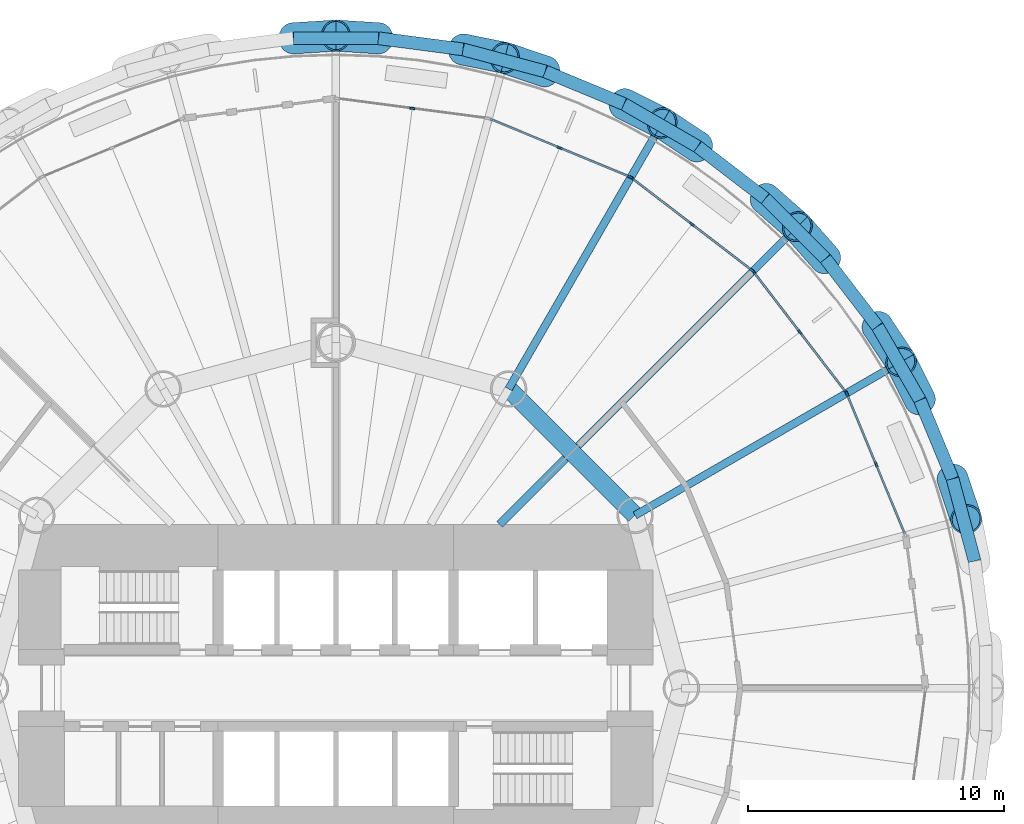
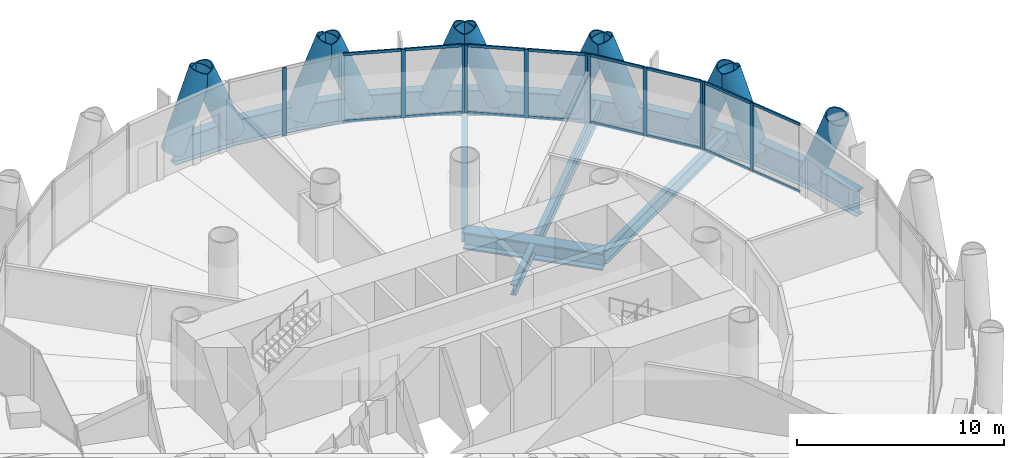
# One storey, part 7 of 15: 38 members, 16 beams, 5 elements without a shape of their own.
"""IFC4 building model written with IfcOpenShell, lengths in metres."""

import ifcopenshell
import ifcopenshell.guid

model = None  # the IFC model being written
_history = None  # IfcOwnerHistory: only IFC2X3 demands one
_inside = {}  # id of a spatial element -> (the spatial element, [elements in it])
_under = {}  # id of a project, library or spatial element -> (it, [spatial elements below it])
_declared = {}  # id of a project -> (the project, [libraries it declares])
_typed = {}  # id of a type object -> (the type object, [elements of that type])
_made_of = {}  # id of a material, layer set ... -> (it, [elements and type objects made of it])


def new_model(schema):
    """Start an empty IFC model of exactly this schema.

    Asked for "IFC4X3", IfcOpenShell would pick the latest addendum, in which some entities
    have other attributes; the version numbers below select the first issue.
    IFC2X3 requires an IfcOwnerHistory on every rooted entity: one is made here for all.
    """
    global model, _history
    if schema == "IFC4X3":
        model = ifcopenshell.file(schema_version=(4, 3, 0, 0))
    else:
        model = ifcopenshell.file(schema=schema)
    _inside.clear()
    _under.clear()
    _declared.clear()
    _typed.clear()
    _made_of.clear()
    _history = None
    if model.schema == "IFC2X3":
        org = make("IfcOrganization", Name="unknown")
        user = make(
            "IfcPersonAndOrganization",
            ThePerson=make("IfcPerson", FamilyName="unknown"),
            TheOrganization=org,
        )
        app = make(
            "IfcApplication",
            ApplicationDeveloper=org,
            Version="unknown",
            ApplicationFullName="unknown",
            ApplicationIdentifier="unknown",
        )
        _history = make(
            "IfcOwnerHistory",
            OwningUser=user,
            OwningApplication=app,
            ChangeAction="ADDED",
            CreationDate=0,
        )
    return model


def make(cls, **values):
    """One entity of the class cls with the attributes given. An attribute that is None is left unset."""
    return model.create_entity(
        cls, **{name: value for name, value in values.items() if value is not None}
    )


def rooted(cls, **values):
    """An entity with a GlobalId (a new one), such as an element, a storey or a relation."""
    return make(cls, GlobalId=ifcopenshell.guid.new(), OwnerHistory=_history, **values)


def si_unit(unit_type, name, prefix=None):
    """IfcSIUnit, for example si_unit("LENGTHUNIT", "METRE", prefix="MILLI")."""
    return make("IfcSIUnit", UnitType=unit_type, Prefix=prefix, Name=name)


def assignment(units):
    """IfcUnitAssignment: the units of a project."""
    return None if units is None else make("IfcUnitAssignment", Units=units)


def point(xyz):
    """IfcCartesianPoint."""
    return None if xyz is None else make("IfcCartesianPoint", Coordinates=xyz)


def direction(xyz):
    """IfcDirection."""
    return None if xyz is None else make("IfcDirection", DirectionRatios=xyz)


def frame(location, z_axis=None, x_axis=None):
    """IfcAxis2Placement3D, a coordinate frame: its origin and axes. An axis left out is left unset."""
    return make(
        "IfcAxis2Placement3D",
        Location=point(location),
        Axis=direction(z_axis),
        RefDirection=direction(x_axis),
    )


def frame_2d(location, x_axis=None):
    """IfcAxis2Placement2D, a coordinate frame in the plane: its origin and x axis."""
    return make(
        "IfcAxis2Placement2D", Location=point(location), RefDirection=direction(x_axis)
    )


def origin():
    """The frame at (0, 0, 0) with its axes left unset."""
    return frame((0.0, 0.0, 0.0))


def origin_2d():
    """The frame at (0, 0) in the plane with its x axis left unset."""
    return frame_2d((0.0, 0.0))


def place(relative_to, where):
    """IfcLocalPlacement: puts the frame where relative to a parent placement (None: the world)."""
    return make(
        "IfcLocalPlacement", PlacementRelTo=relative_to, RelativePlacement=where
    )


def context(
    kind, dimensions, precision=None, world=None, true_north=None, identifier=None
):
    """IfcGeometricRepresentationContext, for example the 3D "Model" context."""
    return make(
        "IfcGeometricRepresentationContext",
        ContextIdentifier=identifier,
        ContextType=kind,
        CoordinateSpaceDimension=dimensions,
        Precision=precision,
        WorldCoordinateSystem=world,
        TrueNorth=true_north,
    )


def subcontext(parent, identifier, kind, view, scale=None):
    """IfcGeometricRepresentationSubContext, for example "Body" below "Model"."""
    return make(
        "IfcGeometricRepresentationSubContext",
        ContextIdentifier=identifier,
        ContextType=kind,
        ParentContext=parent,
        TargetScale=scale,
        TargetView=view,
    )


def project(units=None, contexts=None):
    """IfcProject with its units and contexts."""
    return rooted(
        "IfcProject",
        Name="project",
        RepresentationContexts=contexts,
        UnitsInContext=assignment(units),
    )


def spatial(cls, under=None, at=None, **own):
    """A site, building, storey or space (cls), placed at a placement, below another one or the project."""
    s = rooted(cls, ObjectPlacement=at, **own)
    if under is not None:
        _under.setdefault(under.id(), (under, []))[1].append(s)
    return s


def profile(cls, at=None, kind="AREA", **sizes):
    """A parametric profile (cls). Its sizes go by their IFC names, for example OverallWidth=200.0."""
    return make(cls, ProfileType=kind, Position=at, **sizes)


def rectangle(**sizes):
    """IfcRectangleProfileDef."""
    return profile("IfcRectangleProfileDef", **sizes)


def hollow_circle(**sizes):
    """IfcCircleHollowProfileDef."""
    return profile("IfcCircleHollowProfileDef", **sizes)


def i_section(**sizes):
    """IfcIShapeProfileDef."""
    return profile("IfcIShapeProfileDef", **sizes)


def extrude(swept, where, along, depth):
    """IfcExtrudedAreaSolid: the profile swept, set in the frame where, extruded along a direction by depth."""
    return make(
        "IfcExtrudedAreaSolid",
        SweptArea=swept,
        Position=where,
        ExtrudedDirection=direction(along),
        Depth=depth,
    )


def shape(context_of_items, identifier, shape_type, items):
    """IfcShapeRepresentation: the items that make up one representation, for example the "Body"."""
    return make(
        "IfcShapeRepresentation",
        ContextOfItems=context_of_items,
        RepresentationIdentifier=identifier,
        RepresentationType=shape_type,
        Items=items,
    )


def material(Name=None, Category=None):
    """IfcMaterial."""
    return make("IfcMaterial", Name=Name, Category=Category)


def material_profile(
    of_material, cross_section, Name=None, Category=None, Priority=None
):
    """IfcMaterialProfile: a cross section and its material."""
    return make(
        "IfcMaterialProfile",
        Name=Name,
        Material=of_material,
        Profile=cross_section,
        Priority=Priority,
        Category=Category,
    )


def profile_set(profiles, Name=None, composite=None):
    """IfcMaterialProfileSet."""
    return make(
        "IfcMaterialProfileSet",
        Name=Name,
        MaterialProfiles=profiles,
        CompositeProfile=composite,
    )


def made_of(thing, what):
    """Note that an element or type object is made of a material, layer set ...; save() writes the relation."""
    if what is not None:
        _made_of.setdefault(what.id(), (what, []))[1].append(thing)
    return thing


def type_object(cls, material=None, **own):
    """A type object (cls), such as IfcWallType, which elements share."""
    return made_of(rooted(cls, **own), material)


def element(
    cls,
    number,
    at=None,
    inside=None,
    cuts=None,
    type_object=None,
    material=None,
    context=None,
    identifier="Body",
    shape_type=None,
    held_by="IfcProductDefinitionShape",
    body=None,
    shapes=None,
    **own,
):
    """One element of the class cls, such as IfcWall. Its Tag is "e" and its number.

    at: its placement. inside: the storey or other place that contains it. cuts: it is an
    opening in that element (IfcRelVoidsElement). A single representation is given by context,
    identifier, shape_type and body (its items); several are given by shapes. held_by: the class
    of the entity that holds the representations. save() writes the other relations.
    """
    e = rooted(cls, Tag="e%d" % number, ObjectPlacement=at, **own)
    if body is not None:
        shapes = [shape(context, identifier, shape_type, body)]
    if shapes is not None:
        e.Representation = make(held_by, Representations=shapes)
    if inside is not None:
        _inside.setdefault(inside.id(), (inside, []))[1].append(e)
    if cuts is not None:
        rooted(
            "IfcRelVoidsElement", RelatingBuildingElement=cuts, RelatedOpeningElement=e
        )
    if type_object is not None:
        _typed.setdefault(type_object.id(), (type_object, []))[1].append(e)
    return made_of(e, material)


def aggregate(whole, parts):
    """IfcRelAggregates: a whole, such as a stair, and the parts it consists of."""
    return rooted("IfcRelAggregates", RelatingObject=whole, RelatedObjects=parts)


def save(model, path):
    """Write the relations noted so far, then the file.

    IfcRelAggregates (storeys below a building ...), IfcRelContainedInSpatialStructure (elements
    in a storey), IfcRelDefinesByType, IfcRelAssociatesMaterial and IfcRelDeclares: one each for
    every whole, place, type object, material and project.
    """
    for whole, parts in _under.values():
        aggregate(whole, parts)
    for where, things in _inside.values():
        rooted(
            "IfcRelContainedInSpatialStructure",
            RelatedElements=things,
            RelatingStructure=where,
        )
    for kind, things in _typed.values():
        rooted("IfcRelDefinesByType", RelatedObjects=things, RelatingType=kind)
    for what, things in _made_of.values():
        rooted("IfcRelAssociatesMaterial", RelatedObjects=things, RelatingMaterial=what)
    for by, libraries in _declared.values():
        rooted("IfcRelDeclares", RelatingContext=by, RelatedDefinitions=libraries)
    model.write(path)


model = new_model("IFC4")

# Units and contexts
model_context = context("Model", 3, precision=1e-05, world=origin(), true_north=direction((0.0, 1.0)))
body_context = subcontext(model_context, "Body", "Model", "MODEL_VIEW")
ifc_project = project(units=[si_unit("LENGTHUNIT", "METRE"), si_unit("AREAUNIT", "SQUARE_METRE"), si_unit("VOLUMEUNIT", "CUBIC_METRE"), si_unit("PLANEANGLEUNIT", "RADIAN"), si_unit("MASSUNIT", "GRAM", prefix="KILO")], contexts=[model_context])

# Site, building, storey
site_placement = place(None, origin())
site = spatial("IfcSite", under=ifc_project, at=site_placement, CompositionType="ELEMENT")
building_placement = place(site_placement, origin())
building = spatial("IfcBuilding", under=site, at=building_placement, Name="Qaws Media Tower", CompositionType="ELEMENT")
storey_placement = place(building_placement, frame((0.0, 0.0, 72.199951171875)))
storey = spatial("IfcBuildingStorey", under=building, at=storey_placement, Name="L15", CompositionType="ELEMENT", Elevation=72.199951171875)

# Curtain wall, members
ifc_material_1 = material(Name="Aluminium and clear glass", Category="aluminium")
curtain_wall_type = type_object("IfcCurtainWallType", Name="Unitised curtain wall CW-A", PredefinedType="NOTDEFINED", material=ifc_material_1)
curtain_wall_1_placement = place(storey_placement, origin())
curtain_wall_1 = element("IfcCurtainWall", 1, at=curtain_wall_1_placement, inside=storey, type_object=curtain_wall_type, Name="CWA curtain wall L15-02", PredefinedType="NOTDEFINED")
ifc_material_2 = material(Name="Aluminium mullion", Category="aluminium")
ifc_material_profile_1 = material_profile(ifc_material_2, rectangle(XDim=0.080078125, YDim=0.199951171875, at=origin_2d()), Name="80x200")
ifc_profile_set_1 = profile_set([ifc_material_profile_1], Name="Aluminium mullion")
member_type_1 = type_object("IfcMemberType", Name="Curtain wall mullion 80x200", PredefinedType="MULLION", material=ifc_profile_set_1)
member_1_placement = place(storey_placement, frame((81.11328125, 58.745361328125, 0.0), z_axis=(0.0, 0.0, 1.0), x_axis=(-0.923879575665, -0.382683328183, 0.0)))
member_1 = element("IfcMember", 2, at=member_1_placement, type_object=member_type_1, Name="CWA mullion 2", PredefinedType="MULLION", context=body_context, shape_type="SweptSolid", body=[
    extrude(rectangle(XDim=0.080078125, YDim=0.199951171875, at=origin_2d()), origin(), (0.0, 0.0, 1.0), 4.0400390625),
])
member_2_placement = place(storey_placement, frame((79.977294921875, 61.488037109375, 0.0), z_axis=(0.0, 0.0, 1.0), x_axis=(-0.923879575665, -0.382683328183, 0.0)))
member_2 = element("IfcMember", 3, at=member_2_placement, type_object=member_type_1, Name="CWA mullion 3", PredefinedType="MULLION", context=body_context, shape_type="SweptSolid", body=[
    extrude(rectangle(XDim=0.080078125, YDim=0.199951171875, at=origin_2d()), origin(), (0.0, 0.0, 1.0), 4.0400390625),
])

curtain_wall_2_placement = place(storey_placement, origin())
curtain_wall_2 = element("IfcCurtainWall", 4, at=curtain_wall_2_placement, inside=storey, type_object=curtain_wall_type, Name="CWA curtain wall L15-03", PredefinedType="NOTDEFINED")
member_3_placement = place(storey_placement, frame((79.9375, 61.556640625, 0.0), z_axis=(0.0, 0.0, 1.0), x_axis=(-0.793353261295, -0.608761531958, 0.0)))
member_3 = element("IfcMember", 5, at=member_3_placement, type_object=member_type_1, Name="CWA mullion 1", PredefinedType="MULLION", context=body_context, shape_type="SweptSolid", body=[
    extrude(rectangle(XDim=0.080078125, YDim=0.199951171875, at=origin_2d()), origin(), (0.0, 0.0, 1.0), 4.0400390625),
])
member_4_placement = place(storey_placement, frame((78.13037109375, 63.911865234375, 0.0), z_axis=(0.0, 0.0, 1.0), x_axis=(-0.793353261295, -0.608761531958, 0.0)))
member_4 = element("IfcMember", 6, at=member_4_placement, type_object=member_type_1, Name="CWA mullion 2", PredefinedType="MULLION", context=body_context, shape_type="SweptSolid", body=[
    extrude(rectangle(XDim=0.080078125, YDim=0.199951171875, at=origin_2d()), origin(), (0.0, 0.0, 1.0), 4.0400390625),
])
member_5_placement = place(storey_placement, frame((76.3232421875, 66.26708984375, 0.0), z_axis=(0.0, 0.0, 1.0), x_axis=(-0.793353261295, -0.608761531958, 0.0)))
member_5 = element("IfcMember", 7, at=member_5_placement, type_object=member_type_1, Name="CWA mullion 3", PredefinedType="MULLION", context=body_context, shape_type="SweptSolid", body=[
    extrude(rectangle(XDim=0.080078125, YDim=0.199951171875, at=origin_2d()), origin(), (0.0, 0.0, 1.0), 4.0400390625),
])

curtain_wall_3_placement = place(storey_placement, origin())
curtain_wall_3 = element("IfcCurtainWall", 8, at=curtain_wall_3_placement, inside=storey, type_object=curtain_wall_type, Name="CWA curtain wall L15-04", PredefinedType="NOTDEFINED")
member_6_placement = place(storey_placement, frame((76.26708984375, 66.3232421875, 0.0), z_axis=(0.0, 0.0, 1.0), x_axis=(-0.608761531958, -0.793353261295, 0.0)))
member_6 = element("IfcMember", 9, at=member_6_placement, type_object=member_type_1, Name="CWA mullion 1", PredefinedType="MULLION", context=body_context, shape_type="SweptSolid", body=[
    extrude(rectangle(XDim=0.080078125, YDim=0.199951171875, at=origin_2d()), origin(), (0.0, 0.0, 1.0), 4.0400390625),
])
member_7_placement = place(storey_placement, frame((73.911865234375, 68.13037109375, 0.0), z_axis=(0.0, 0.0, 1.0), x_axis=(-0.608761531958, -0.793353261295, 0.0)))
member_7 = element("IfcMember", 10, at=member_7_placement, type_object=member_type_1, Name="CWA mullion 2", PredefinedType="MULLION", context=body_context, shape_type="SweptSolid", body=[
    extrude(rectangle(XDim=0.080078125, YDim=0.199951171875, at=origin_2d()), origin(), (0.0, 0.0, 1.0), 4.0400390625),
])
member_8_placement = place(storey_placement, frame((71.556640625, 69.9375, 0.0), z_axis=(0.0, 0.0, 1.0), x_axis=(-0.608761531958, -0.793353261295, 0.0)))
member_8 = element("IfcMember", 11, at=member_8_placement, type_object=member_type_1, Name="CWA mullion 3", PredefinedType="MULLION", context=body_context, shape_type="SweptSolid", body=[
    extrude(rectangle(XDim=0.080078125, YDim=0.199951171875, at=origin_2d()), origin(), (0.0, 0.0, 1.0), 4.0400390625),
])

curtain_wall_4_placement = place(storey_placement, origin())
curtain_wall_4 = element("IfcCurtainWall", 12, at=curtain_wall_4_placement, inside=storey, type_object=curtain_wall_type, Name="CWA curtain wall L15-05", PredefinedType="NOTDEFINED")
member_9_placement = place(storey_placement, frame((71.488037109375, 69.977294921875, 0.0), z_axis=(0.0, 0.0, 1.0), x_axis=(-0.382683328183, -0.923879575665, 0.0)))
member_9 = element("IfcMember", 13, at=member_9_placement, type_object=member_type_1, Name="CWA mullion 1", PredefinedType="MULLION", context=body_context, shape_type="SweptSolid", body=[
    extrude(rectangle(XDim=0.080078125, YDim=0.199951171875, at=origin_2d()), origin(), (0.0, 0.0, 1.0), 4.0400390625),
])
member_10_placement = place(storey_placement, frame((68.745361328125, 71.11328125, 0.0), z_axis=(0.0, 0.0, 1.0), x_axis=(-0.382683328183, -0.923879575665, 0.0)))
member_10 = element("IfcMember", 14, at=member_10_placement, type_object=member_type_1, Name="CWA mullion 2", PredefinedType="MULLION", context=body_context, shape_type="SweptSolid", body=[
    extrude(rectangle(XDim=0.080078125, YDim=0.199951171875, at=origin_2d()), origin(), (0.0, 0.0, 1.0), 4.0400390625),
])

# Curtain wall, member
curtain_wall_5_placement = place(storey_placement, origin())
curtain_wall_5 = element("IfcCurtainWall", 15, at=curtain_wall_5_placement, inside=storey, type_object=curtain_wall_type, Name="CWA curtain wall L15-06", PredefinedType="NOTDEFINED")
member_11_placement = place(storey_placement, frame((62.98291015625, 72.6572265625, 0.0), z_axis=(0.0, 0.0, 1.0), x_axis=(-0.130526240342, -0.991444855038, 0.0)))
member_11 = element("IfcMember", 16, at=member_11_placement, type_object=member_type_1, Name="CWA mullion 2", PredefinedType="MULLION", context=body_context, shape_type="SweptSolid", body=[
    extrude(rectangle(XDim=0.080078125, YDim=0.199951171875, at=origin_2d()), origin(), (0.0, 0.0, 1.0), 4.0400390625),
])
aggregate(curtain_wall_5, [member_11])

# Member
ifc_material_3 = material(Name="Aluminium transom", Category="aluminium")
ifc_material_profile_2 = material_profile(ifc_material_3, rectangle(XDim=0.080078125, YDim=0.159912109375, at=origin_2d()), Name="80x160")
ifc_profile_set_2 = profile_set([ifc_material_profile_2], Name="Aluminium transom")
member_type_2 = type_object("IfcMemberType", Name="Curtain wall transom 80x160", PredefinedType="USERDEFINED", material=ifc_profile_set_2)
member_12_placement = place(storey_placement, frame((82.23388671875, 56.039794921875, 0.0400390625), z_axis=(-0.382627993016, 0.923902494293, 0.0), x_axis=(-0.923902494293, -0.382627993016, 0.0)))
member_12 = element("IfcMember", 17, at=member_12_placement, type_object=member_type_2, Name="CWA transom 1.1", ObjectType="TRANSOM", PredefinedType="USERDEFINED", context=body_context, shape_type="SweptSolid", body=[
    extrude(rectangle(XDim=0.080078125, YDim=0.159912109375, at=origin_2d()), origin(), (0.0, 0.0, 1.0), 2.888427734375),
])

member_13_placement = place(storey_placement, frame((82.23388671875, 56.039794921875, 4.0), z_axis=(-0.382627993016, 0.923902494293, 0.0), x_axis=(-0.923902494293, -0.382627993016, 0.0)))
member_13 = element("IfcMember", 18, at=member_13_placement, type_object=member_type_2, Name="CWA transom 1.2", ObjectType="TRANSOM", PredefinedType="USERDEFINED", context=body_context, shape_type="SweptSolid", body=[
    extrude(rectangle(XDim=0.080078125, YDim=0.159912109375, at=origin_2d()), origin(), (0.0, 0.0, 1.0), 2.888427734375),
])

member_14_placement = place(storey_placement, frame((81.097900390625, 58.7822265625, 0.0400390625), z_axis=(-0.382670255779, 0.923884990322, 0.0), x_axis=(-0.923884990322, -0.382670255779, 0.0)))
member_14 = element("IfcMember", 19, at=member_14_placement, type_object=member_type_2, Name="CWA transom 2.1", ObjectType="TRANSOM", PredefinedType="USERDEFINED", context=body_context, shape_type="SweptSolid", body=[
    extrude(rectangle(XDim=0.080078125, YDim=0.159912109375, at=origin_2d()), origin(), (0.0, 0.0, 1.0), 2.888916015625),
])

member_15_placement = place(storey_placement, frame((81.097900390625, 58.7822265625, 4.0), z_axis=(-0.382670255779, 0.923884990322, 0.0), x_axis=(-0.923884990322, -0.382670255779, 0.0)))
member_15 = element("IfcMember", 20, at=member_15_placement, type_object=member_type_2, Name="CWA transom 2.2", ObjectType="TRANSOM", PredefinedType="USERDEFINED", context=body_context, shape_type="SweptSolid", body=[
    extrude(rectangle(XDim=0.080078125, YDim=0.159912109375, at=origin_2d()), origin(), (0.0, 0.0, 1.0), 2.888916015625),
])

aggregate(curtain_wall_1, [member_1, member_2, member_12, member_13, member_14, member_15])

member_16_placement = place(storey_placement, frame((79.9130859375, 61.58837890625, 0.0400390625), z_axis=(-0.608713633127, 0.793390013074, 0.0), x_axis=(-0.793390013074, -0.608713633127, 0.0)))
member_16 = element("IfcMember", 21, at=member_16_placement, type_object=member_type_2, Name="CWA transom 1.1", ObjectType="TRANSOM", PredefinedType="USERDEFINED", context=body_context, shape_type="SweptSolid", body=[
    extrude(rectangle(XDim=0.080078125, YDim=0.159912109375, at=origin_2d()), origin(), (0.0, 0.0, 1.0), 2.888671875),
])

member_17_placement = place(storey_placement, frame((79.9130859375, 61.58837890625, 4.0), z_axis=(-0.608713633127, 0.793390013074, 0.0), x_axis=(-0.793390013074, -0.608713633127, 0.0)))
member_17 = element("IfcMember", 22, at=member_17_placement, type_object=member_type_2, Name="CWA transom 1.2", ObjectType="TRANSOM", PredefinedType="USERDEFINED", context=body_context, shape_type="SweptSolid", body=[
    extrude(rectangle(XDim=0.080078125, YDim=0.159912109375, at=origin_2d()), origin(), (0.0, 0.0, 1.0), 2.888671875),
])

member_18_placement = place(storey_placement, frame((78.10595703125, 63.943603515625, 0.0400390625), z_axis=(-0.608766831684, 0.793349194644, 0.0), x_axis=(-0.793349194644, -0.608766831684, 0.0)))
member_18 = element("IfcMember", 23, at=member_18_placement, type_object=member_type_2, Name="CWA transom 2.1", ObjectType="TRANSOM", PredefinedType="USERDEFINED", context=body_context, shape_type="SweptSolid", body=[
    extrude(rectangle(XDim=0.080078125, YDim=0.159912109375, at=origin_2d()), origin(), (0.0, 0.0, 1.0), 2.888671875),
])

member_19_placement = place(storey_placement, frame((78.10595703125, 63.943603515625, 4.0), z_axis=(-0.608766831684, 0.793349194644, 0.0), x_axis=(-0.793349194644, -0.608766831684, 0.0)))
member_19 = element("IfcMember", 24, at=member_19_placement, type_object=member_type_2, Name="CWA transom 2.2", ObjectType="TRANSOM", PredefinedType="USERDEFINED", context=body_context, shape_type="SweptSolid", body=[
    extrude(rectangle(XDim=0.080078125, YDim=0.159912109375, at=origin_2d()), origin(), (0.0, 0.0, 1.0), 2.888671875),
])

aggregate(curtain_wall_2, [member_3, member_4, member_5, member_16, member_17, member_18, member_19])

member_20_placement = place(storey_placement, frame((76.2353515625, 66.347412109375, 0.0400390625), z_axis=(-0.793349194644, 0.608766831684, 0.0), x_axis=(-0.608766831684, -0.793349194644, 0.0)))
member_20 = element("IfcMember", 25, at=member_20_placement, type_object=member_type_2, Name="CWA transom 1.1", ObjectType="TRANSOM", PredefinedType="USERDEFINED", context=body_context, shape_type="SweptSolid", body=[
    extrude(rectangle(XDim=0.080078125, YDim=0.159912109375, at=origin_2d()), origin(), (0.0, 0.0, 1.0), 2.888671875),
])

member_21_placement = place(storey_placement, frame((76.2353515625, 66.347412109375, 4.0), z_axis=(-0.793349194644, 0.608766831684, 0.0), x_axis=(-0.608766831684, -0.793349194644, 0.0)))
member_21 = element("IfcMember", 26, at=member_21_placement, type_object=member_type_2, Name="CWA transom 1.2", ObjectType="TRANSOM", PredefinedType="USERDEFINED", context=body_context, shape_type="SweptSolid", body=[
    extrude(rectangle(XDim=0.080078125, YDim=0.159912109375, at=origin_2d()), origin(), (0.0, 0.0, 1.0), 2.888671875),
])

member_22_placement = place(storey_placement, frame((73.880126953125, 68.15478515625, 0.0400390625), z_axis=(-0.793390013074, 0.608713633127, 0.0), x_axis=(-0.608713633127, -0.793390013074, 0.0)))
member_22 = element("IfcMember", 27, at=member_22_placement, type_object=member_type_2, Name="CWA transom 2.1", ObjectType="TRANSOM", PredefinedType="USERDEFINED", context=body_context, shape_type="SweptSolid", body=[
    extrude(rectangle(XDim=0.080078125, YDim=0.159912109375, at=origin_2d()), origin(), (0.0, 0.0, 1.0), 2.888671875),
])

member_23_placement = place(storey_placement, frame((73.880126953125, 68.15478515625, 4.0), z_axis=(-0.793390013074, 0.608713633127, 0.0), x_axis=(-0.608713633127, -0.793390013074, 0.0)))
member_23 = element("IfcMember", 28, at=member_23_placement, type_object=member_type_2, Name="CWA transom 2.2", ObjectType="TRANSOM", PredefinedType="USERDEFINED", context=body_context, shape_type="SweptSolid", body=[
    extrude(rectangle(XDim=0.080078125, YDim=0.159912109375, at=origin_2d()), origin(), (0.0, 0.0, 1.0), 2.888671875),
])

aggregate(curtain_wall_3, [member_6, member_7, member_8, member_20, member_21, member_22, member_23])

member_24_placement = place(storey_placement, frame((71.451171875, 69.992431640625, 0.0400390625), z_axis=(-0.923884990322, 0.382670255779, 0.0), x_axis=(-0.382670255779, -0.923884990322, 0.0)))
member_24 = element("IfcMember", 29, at=member_24_placement, type_object=member_type_2, Name="CWA transom 1.1", ObjectType="TRANSOM", PredefinedType="USERDEFINED", context=body_context, shape_type="SweptSolid", body=[
    extrude(rectangle(XDim=0.080078125, YDim=0.159912109375, at=origin_2d()), origin(), (0.0, 0.0, 1.0), 2.888916015625),
])

member_25_placement = place(storey_placement, frame((71.451171875, 69.992431640625, 4.0), z_axis=(-0.923884990322, 0.382670255779, 0.0), x_axis=(-0.382670255779, -0.923884990322, 0.0)))
member_25 = element("IfcMember", 30, at=member_25_placement, type_object=member_type_2, Name="CWA transom 1.2", ObjectType="TRANSOM", PredefinedType="USERDEFINED", context=body_context, shape_type="SweptSolid", body=[
    extrude(rectangle(XDim=0.080078125, YDim=0.159912109375, at=origin_2d()), origin(), (0.0, 0.0, 1.0), 2.888916015625),
])

member_26_placement = place(storey_placement, frame((68.70849609375, 71.128662109375, 0.0400390625), z_axis=(-0.923902494293, 0.382627993016, 0.0), x_axis=(-0.382627993016, -0.923902494293, 0.0)))
member_26 = element("IfcMember", 31, at=member_26_placement, type_object=member_type_2, Name="CWA transom 2.1", ObjectType="TRANSOM", PredefinedType="USERDEFINED", context=body_context, shape_type="SweptSolid", body=[
    extrude(rectangle(XDim=0.080078125, YDim=0.159912109375, at=origin_2d()), origin(), (0.0, 0.0, 1.0), 2.888427734375),
])

member_27_placement = place(storey_placement, frame((68.70849609375, 71.128662109375, 4.0), z_axis=(-0.923902494293, 0.382627993016, 0.0), x_axis=(-0.382627993016, -0.923902494293, 0.0)))
member_27 = element("IfcMember", 32, at=member_27_placement, type_object=member_type_2, Name="CWA transom 2.2", ObjectType="TRANSOM", PredefinedType="USERDEFINED", context=body_context, shape_type="SweptSolid", body=[
    extrude(rectangle(XDim=0.080078125, YDim=0.159912109375, at=origin_2d()), origin(), (0.0, 0.0, 1.0), 2.888427734375),
])

aggregate(curtain_wall_4, [member_9, member_10, member_24, member_25, member_26, member_27])

# Members
ifc_material_4 = material(Name="Steel S460", Category="steel")
ifc_material_profile_3 = material_profile(ifc_material_4, hollow_circle(Radius=0.609619140625, WallThickness=0.06005859375, at=origin_2d()), Name="CHS 1219x60")
ifc_profile_set_3 = profile_set([ifc_material_profile_3], Name="Steel S460")
member_type_3 = type_object("IfcMemberType", Name="Diagrid member CHS 1219x60", PredefinedType="USERDEFINED", material=ifc_profile_set_3)
for number, where, z_axis, x_axis, name in (
    (33, (82.825439453125, 61.25634765625, -0.909912109375), (-0.164131695888, 0.330532493562, 0.92941328649), (-0.89565353979, -0.444752444244, 0.0), "DG1 diagrid L15 A02"),
    (34, (84.099365234375, 58.1806640625, -0.909912109375), (0.117667428384, -0.349814783649, 0.929399802797), (0.94781611288, 0.318817528008, 0.0), "DG1 diagrid L15 B02"),
    (35, (79.13427734375, 66.7802734375, -0.909912109375), (-0.244087552691, 0.276827051791, 0.929401985159), (-0.750068491784, -0.661360157276, 0.0), "DG1 diagrid L15 A03"),
    (36, (81.160888671875, 64.13916015625, -0.909912109375), (0.204217631253, -0.307406963447, 0.929406325516), (0.832950048826, 0.553348187094, 0.0), "DG1 diagrid L15 B03"),
    (37, (74.13916015625, 71.160888671875, -0.909912109375), (-0.307406963447, 0.204217631253, 0.929406325516), (-0.553348187094, -0.832950048826, 0.0), "DG1 diagrid L15 A04"),
    (38, (76.7802734375, 69.13427734375, -0.909912109375), (0.276827051791, -0.244087552691, 0.929401985159), (0.661360157276, 0.750068491784, 0.0), "DG1 diagrid L15 B04"),
    (39, (68.1806640625, 74.099365234375, -0.909912109375), (-0.349814783649, 0.117667428384, 0.929399802797), (-0.318817528008, -0.94781611288, 0.0), "DG1 diagrid L15 A05"),
    (40, (71.25634765625, 72.825439453125, -0.909912109375), (0.330532493562, -0.164131695888, 0.92941328649), (0.444752444244, 0.89565353979, 0.0), "DG1 diagrid L15 B05"),
    (41, (61.66455078125, 75.3955078125, -0.909912109375), (-0.368346050821, 0.023122926042, 0.929401160498), (-0.062651682918, -0.998035453592, 0.0), "DG1 diagrid L15 A06"),
    (42, (64.965087890625, 74.9609375, -0.909912109375), (0.36175846887, -0.072989201231, 0.929410235958), (0.197776850506, 0.980247069572, 0.0), "DG1 diagrid L15 B06"),
    (43, (58.33544921875, 75.3955078125, -0.909912109375), (0.368346050821, 0.023122926042, 0.929401160498), (-0.062651682918, 0.998035453592, 0.0), "DG1 diagrid L15 B07"),
):
    element("IfcMember", number, at=place(storey_placement, frame(where, z_axis=z_axis, x_axis=x_axis)), inside=storey, type_object=member_type_3, Name=name, ObjectType="DIAGRID", PredefinedType="USERDEFINED", context=body_context, shape_type="SweptSolid", body=[
        extrude(hollow_circle(Radius=0.609619140625, WallThickness=0.06005859375, at=origin_2d()), origin(), (0.0, 0.0, 1.0), 4.51904296875),
    ])

# Beams
ifc_material_5 = material(Name="Steel S460", Category="steel")
ifc_material_profile_4 = material_profile(ifc_material_5, i_section(OverallWidth=0.5, OverallDepth=1.5, WebThickness=0.02001953125, FlangeThickness=0.0400390625, at=origin_2d()), Name="PG 1500x500")
ifc_profile_set_4 = profile_set([ifc_material_profile_4], Name="Steel S460")
beam_type_1 = type_object("IfcBeamType", Name="Edge ring beam PG 1500x500", PredefinedType="BEAM", material=ifc_profile_set_4)
for number, where, z_axis, x_axis, name in (
    (44, (84.9609375, 54.965087890625, -0.909912109375), (-0.258808178295, 0.965928737976, 0.0), (-0.965928737976, -0.258808178295, 0.0), "RB4 edge ring beam L15-02"),
    (45, (84.099365234375, 58.1806640625, -0.909912109375), (-0.382667003395, 0.923886337442, 0.0), (-0.923886337442, -0.382667003395, 0.0), "RB4 edge ring beam L15-03"),
):
    element("IfcBeam", number, at=place(storey_placement, frame(where, z_axis=z_axis, x_axis=x_axis)), inside=storey, type_object=beam_type_1, Name=name, PredefinedType="BEAM", context=body_context, shape_type="SweptSolid", body=[
        extrude(i_section(OverallWidth=0.5, OverallDepth=1.5, WebThickness=0.02001953125, FlangeThickness=0.0400390625, at=origin_2d()), origin(), (0.0, 0.0, 1.0), 3.3291015625),
    ])
beam_1_placement = place(storey_placement, frame((82.825439453125, 61.25634765625, -0.909912109375), z_axis=(-0.500035644245, 0.866004823592, 0.0), x_axis=(-0.866004823592, -0.500035644245, 0.0)))
element("IfcBeam", 46, at=beam_1_placement, inside=storey, type_object=beam_type_1, Name="RB4 edge ring beam L15-04", PredefinedType="BEAM", context=body_context, shape_type="SweptSolid", body=[
    extrude(i_section(OverallWidth=0.5, OverallDepth=1.5, WebThickness=0.02001953125, FlangeThickness=0.0400390625, at=origin_2d()), origin(), (0.0, 0.0, 1.0), 3.328857421875),
])
for number, where, z_axis, x_axis, name in (
    (47, (81.160888671875, 64.13916015625, -0.909912109375), (-0.608764043611, 0.79335133403, 0.0), (-0.79335133403, -0.608764043611, 0.0), "RB4 edge ring beam L15-05"),
    (48, (79.13427734375, 66.7802734375, -0.909912109375), (-0.707106781187, 0.707106781187, 0.0), (-0.707106781187, -0.707106781187, 0.0), "RB4 edge ring beam L15-06"),
    (49, (76.7802734375, 69.13427734375, -0.909912109375), (-0.79335133403, 0.608764043611, 0.0), (-0.608764043611, -0.79335133403, 0.0), "RB4 edge ring beam L15-07"),
):
    element("IfcBeam", number, at=place(storey_placement, frame(where, z_axis=z_axis, x_axis=x_axis)), inside=storey, type_object=beam_type_1, Name=name, PredefinedType="BEAM", context=body_context, shape_type="SweptSolid", body=[
        extrude(i_section(OverallWidth=0.5, OverallDepth=1.5, WebThickness=0.02001953125, FlangeThickness=0.0400390625, at=origin_2d()), origin(), (0.0, 0.0, 1.0), 3.3291015625),
    ])
beam_2_placement = place(storey_placement, frame((74.13916015625, 71.160888671875, -0.909912109375), z_axis=(-0.866004823592, 0.500035644245, 0.0), x_axis=(-0.500035644245, -0.866004823592, 0.0)))
element("IfcBeam", 50, at=beam_2_placement, inside=storey, type_object=beam_type_1, Name="RB4 edge ring beam L15-08", PredefinedType="BEAM", context=body_context, shape_type="SweptSolid", body=[
    extrude(i_section(OverallWidth=0.5, OverallDepth=1.5, WebThickness=0.02001953125, FlangeThickness=0.0400390625, at=origin_2d()), origin(), (0.0, 0.0, 1.0), 3.328857421875),
])
for number, where, z_axis, x_axis, name in (
    (51, (71.25634765625, 72.825439453125, -0.909912109375), (-0.923886337442, 0.382667003395, 0.0), (-0.382667003395, -0.923886337442, 0.0), "RB4 edge ring beam L15-09"),
    (52, (68.1806640625, 74.099365234375, -0.909912109375), (-0.965928737976, 0.258808178295, 0.0), (-0.258808178295, -0.965928737976, 0.0), "RB4 edge ring beam L15-10"),
    (53, (64.965087890625, 74.9609375, -0.909912109375), (-0.991443059173, 0.130539880563, 0.0), (-0.130539880563, -0.991443059173, 0.0), "RB4 edge ring beam L15-11"),
    (54, (61.66455078125, 75.3955078125, -0.909912109375), (-1.0, 0.0, 0.0), (0.0, -1.0, 0.0), "RB4 edge ring beam L15-12"),
):
    element("IfcBeam", number, at=place(storey_placement, frame(where, z_axis=z_axis, x_axis=x_axis)), inside=storey, type_object=beam_type_1, Name=name, PredefinedType="BEAM", context=body_context, shape_type="SweptSolid", body=[
        extrude(i_section(OverallWidth=0.5, OverallDepth=1.5, WebThickness=0.02001953125, FlangeThickness=0.0400390625, at=origin_2d()), origin(), (0.0, 0.0, 1.0), 3.3291015625),
    ])
ifc_material_6 = material(Name="Steel S460", Category="steel")
ifc_material_profile_5 = material_profile(ifc_material_6, i_section(OverallWidth=0.699951171875, OverallDepth=1.0, WebThickness=0.034912109375, FlangeThickness=0.090087890625, at=origin_2d()), Name="PG 1000x700")
ifc_profile_set_5 = profile_set([ifc_material_profile_5], Name="Steel S460")
beam_type_2 = type_object("IfcBeamType", Name="Inner ring girder PG 1000x700", PredefinedType="BEAM", material=ifc_profile_set_5)
beam_3_placement = place(storey_placement, frame((71.69140625, 56.75, -0.659912109375), z_axis=(-0.707106781187, 0.707106781187, 0.0), x_axis=(-0.707106781187, -0.707106781187, 0.0)))
element("IfcBeam", 55, at=beam_3_placement, inside=storey, type_object=beam_type_2, Name="B3 inner ring beam L15 I02-I03", PredefinedType="BEAM", context=body_context, shape_type="SweptSolid", body=[
    extrude(i_section(OverallWidth=0.699951171875, OverallDepth=1.0, WebThickness=0.034912109375, FlangeThickness=0.090087890625, at=origin_2d()), origin(), (0.0, 0.0, 1.0), 6.98828125),
])
ifc_material_7 = material(Name="Steel S355", Category="steel")
ifc_material_profile_6 = material_profile(ifc_material_7, i_section(OverallWidth=0.304931640625, OverallDepth=0.6201171875, WebThickness=0.02099609375, FlangeThickness=0.0400390625, FilletRadius=0.027099609375, at=origin_2d()), Name="HE 600 M")
ifc_profile_set_6 = profile_set([ifc_material_profile_6], Name="Steel S355")
beam_type_3 = type_object("IfcBeamType", Name="Radial beam HE 600 M, core side", PredefinedType="BEAM", material=ifc_profile_set_6)
beam_4_placement = place(storey_placement, frame((66.39990234375, 56.39990234375, -0.469970703125), z_axis=(0.707106781187, 0.707106781187, 0.0), x_axis=(-0.707106781187, 0.707106781187, 0.0)))
element("IfcBeam", 56, at=beam_4_placement, inside=storey, type_object=beam_type_3, Name="B2 radial beam L15 04", PredefinedType="BEAM", context=body_context, shape_type="SweptSolid", body=[
    extrude(i_section(OverallWidth=0.304931640625, OverallDepth=0.6201171875, WebThickness=0.02099609375, FlangeThickness=0.0400390625, FilletRadius=0.027099609375, at=origin_2d()), origin(), (0.0, 0.0, 1.0), 3.63916015625),
])
ifc_material_8 = material(Name="Steel S355", Category="steel")
ifc_material_profile_7 = material_profile(ifc_material_8, i_section(OverallWidth=0.300048828125, OverallDepth=0.800048828125, WebThickness=0.017578125, FlangeThickness=0.032958984375, FilletRadius=0.030029296875, at=origin_2d()), Name="HE 800 B")
ifc_profile_set_7 = profile_set([ifc_material_profile_7], Name="Steel S355")
beam_type_4 = type_object("IfcBeamType", Name="Radial beam HE 800 B", PredefinedType="BEAM", material=ifc_profile_set_7)
beam_5_placement = place(storey_placement, frame((71.69140625, 56.75, -0.56005859375), z_axis=(0.866024265868, 0.500001970923, 0.0), x_axis=(-0.500001970923, 0.866024265868, 0.0)))
element("IfcBeam", 57, at=beam_5_placement, inside=storey, type_object=beam_type_4, Name="B1 radial beam L15 03", PredefinedType="BEAM", context=body_context, shape_type="SweptSolid", body=[
    extrude(i_section(OverallWidth=0.300048828125, OverallDepth=0.800048828125, WebThickness=0.017578125, FlangeThickness=0.032958984375, FilletRadius=0.030029296875, at=origin_2d()), origin(), (0.0, 0.0, 1.0), 11.8955078125),
])
beam_6_placement = place(storey_placement, frame((69.46826171875, 59.46826171875, -0.56005859375), z_axis=(0.707106781187, 0.707106781187, 0.0), x_axis=(-0.707106781187, 0.707106781187, 0.0)))
element("IfcBeam", 58, at=beam_6_placement, inside=storey, type_object=beam_type_4, Name="B1 radial beam L15 04", PredefinedType="BEAM", context=body_context, shape_type="SweptSolid", body=[
    extrude(i_section(OverallWidth=0.300048828125, OverallDepth=0.800048828125, WebThickness=0.017578125, FlangeThickness=0.032958984375, FilletRadius=0.030029296875, at=origin_2d()), origin(), (0.0, 0.0, 1.0), 12.00537109375),
])
beam_7_placement = place(storey_placement, frame((66.75, 61.69140625, -0.56005859375), z_axis=(0.500001970923, 0.866024265868, 0.0), x_axis=(-0.866024265868, 0.500001970923, 0.0)))
element("IfcBeam", 59, at=beam_7_placement, inside=storey, type_object=beam_type_4, Name="B1 radial beam L15 05", PredefinedType="BEAM", context=body_context, shape_type="SweptSolid", body=[
    extrude(i_section(OverallWidth=0.300048828125, OverallDepth=0.800048828125, WebThickness=0.017578125, FlangeThickness=0.032958984375, FilletRadius=0.030029296875, at=origin_2d()), origin(), (0.0, 0.0, 1.0), 11.8955078125),
])

save(model, "model.ifc")
